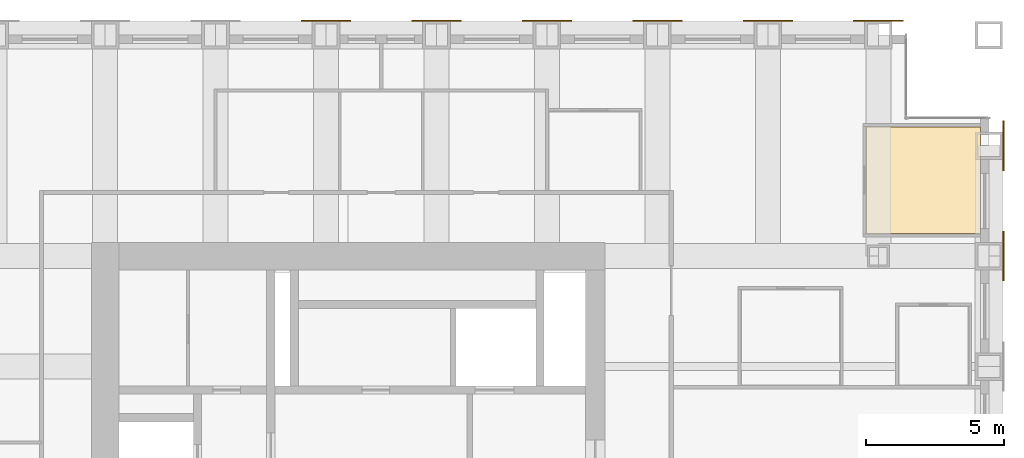
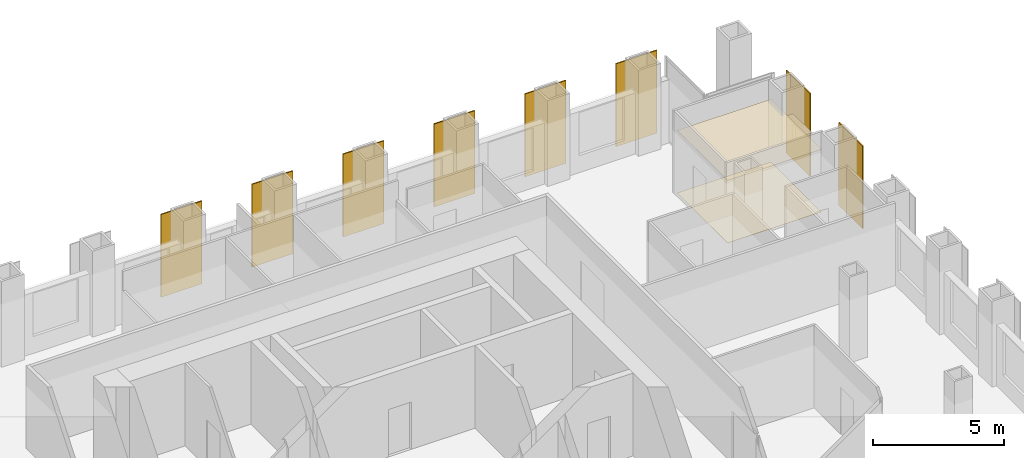
# One storey, part 13 of 13: 8 shading devices, 2 coverings.
"""IFC4 building model written with IfcOpenShell, lengths in metres."""

from ifc_helpers import new_model, si_unit, direction, frame, origin, origin_2d, place, context, subcontext, project, spatial, polyline, rectangle, outline, extrude, material, layer, layer_set, type_object, element, save


model = new_model("IFC4")

# Units and contexts
model_context = context("Model", 3, precision=1e-05, world=origin(), true_north=direction((0.0, 1.0)))
body_context = subcontext(model_context, "Body", "Model", "MODEL_VIEW")
ifc_project = project(units=[si_unit("LENGTHUNIT", "METRE"), si_unit("AREAUNIT", "SQUARE_METRE"), si_unit("VOLUMEUNIT", "CUBIC_METRE"), si_unit("PLANEANGLEUNIT", "RADIAN"), si_unit("MASSUNIT", "GRAM", prefix="KILO")], contexts=[model_context])

# Site, building, storey
site_placement = place(None, origin())
site = spatial("IfcSite", under=ifc_project, at=site_placement, CompositionType="ELEMENT")
building_placement = place(site_placement, origin())
building = spatial("IfcBuilding", under=site, at=building_placement, Name="Rimbunsela Tower", CompositionType="ELEMENT")
storey_placement = place(building_placement, frame((0.0, 0.0, 258.199951171875)))
storey = spatial("IfcBuildingStorey", under=building, at=storey_placement, Name="L62", CompositionType="ELEMENT", Elevation=258.199951171875)

# Coverings
ifc_material_1 = material(Name="Nylon carpet tile", Category="textile")
ifc_layer_1 = layer(ifc_material_1, 0.010009765625)
ifc_layer_set_1 = layer_set([ifc_layer_1], Name="Carpet tile 10")
covering_type_1 = type_object("IfcCoveringType", Name="Carpet tile 10", PredefinedType="FLOORING", material=ifc_layer_set_1)
covering_1_placement = place(storey_placement, origin())
element("IfcCovering", 1, at=covering_1_placement, inside=storey, type_object=covering_type_1, Name="Floor finish Executive office", PredefinedType="FLOORING", context=body_context, shape_type="SweptSolid", body=[
    extrude(outline(polyline([(49.699951171875, 36.824951171875), (49.699951171875, 40.675048828125), (45.574951171875, 40.675048828125), (45.574951171875, 36.824951171875), (49.699951171875, 36.824951171875)])), origin(), (0.0, 0.0, 1.0), 0.010009765625),
])
ifc_material_2 = material(Name="Mineral fibre ceiling tile", Category="gypsum")
ifc_layer_2 = layer(ifc_material_2, 0.02001953125)
ifc_layer_set_2 = layer_set([ifc_layer_2], Name="Ceiling 600 grid")
covering_type_2 = type_object("IfcCoveringType", Name="Ceiling 600 grid", PredefinedType="CEILING", material=ifc_layer_set_2)
covering_2_placement = place(storey_placement, frame((0.0, 0.0, 2.900146484375)))
element("IfcCovering", 2, at=covering_2_placement, inside=storey, type_object=covering_type_2, Name="Ceiling Executive office", PredefinedType="CEILING", context=body_context, shape_type="SweptSolid", body=[
    extrude(outline(polyline([(49.699951171875, 36.824951171875), (49.699951171875, 40.675048828125), (45.574951171875, 40.675048828125), (45.574951171875, 36.824951171875), (49.699951171875, 36.824951171875)])), origin(), (0.0, 0.0, 1.0), 0.02001953125),
])

# Shading devices
ifc_material_3 = material(Name="Perforated aluminium, 35 % open area", Category="aluminium")
ifc_layer_3 = layer(ifc_material_3, 0.050048828125)
ifc_layer_set_3 = layer_set([ifc_layer_3], Name="Solar screen panel 1800")
shading_device_type = type_object("IfcShadingDeviceType", Name="Solar screen panel 1800", PredefinedType="USERDEFINED", material=ifc_layer_set_3)
for number, where, z_axis, x_axis, name in (
    (3, (50.52490234375, 36.0, 0.0), (0.0, 0.0, 1.0), (0.0, 1.0, 0.0), "Solar screen E L62"),
    (4, (50.52490234375, 40.0, 0.0), (0.0, 0.0, 1.0), (0.0, 1.0, 0.0), "Solar screen E L62"),
    (5, (26.0, 44.52490234375, 0.0), (0.0, 0.0, 1.0), (1.0, 0.0, 0.0), "Solar screen N L62"),
    (6, (30.0, 44.52490234375, 0.0), (0.0, 0.0, 1.0), (1.0, 0.0, 0.0), "Solar screen N L62"),
    (7, (34.0, 44.52490234375, 0.0), (0.0, 0.0, 1.0), (1.0, 0.0, 0.0), "Solar screen N L62"),
    (8, (38.0, 44.52490234375, 0.0), (0.0, 0.0, 1.0), (1.0, 0.0, 0.0), "Solar screen N L62"),
    (9, (42.0, 44.52490234375, 0.0), (0.0, 0.0, 1.0), (1.0, 0.0, 0.0), "Solar screen N L62"),
    (10, (46.0, 44.52490234375, 0.0), (0.0, 0.0, 1.0), (1.0, 0.0, 0.0), "Solar screen N L62"),
):
    element("IfcShadingDevice", number, at=place(storey_placement, frame(where, z_axis=z_axis, x_axis=x_axis)), inside=storey, type_object=shading_device_type, Name=name, ObjectType="SCREEN", PredefinedType="USERDEFINED", context=body_context, shape_type="SweptSolid", body=[
        extrude(rectangle(XDim=1.800048828125, YDim=0.050048828125, at=origin_2d()), origin(), (0.0, 0.0, 1.0), 3.85009765625),
    ])

save(model, "model.ifc")
